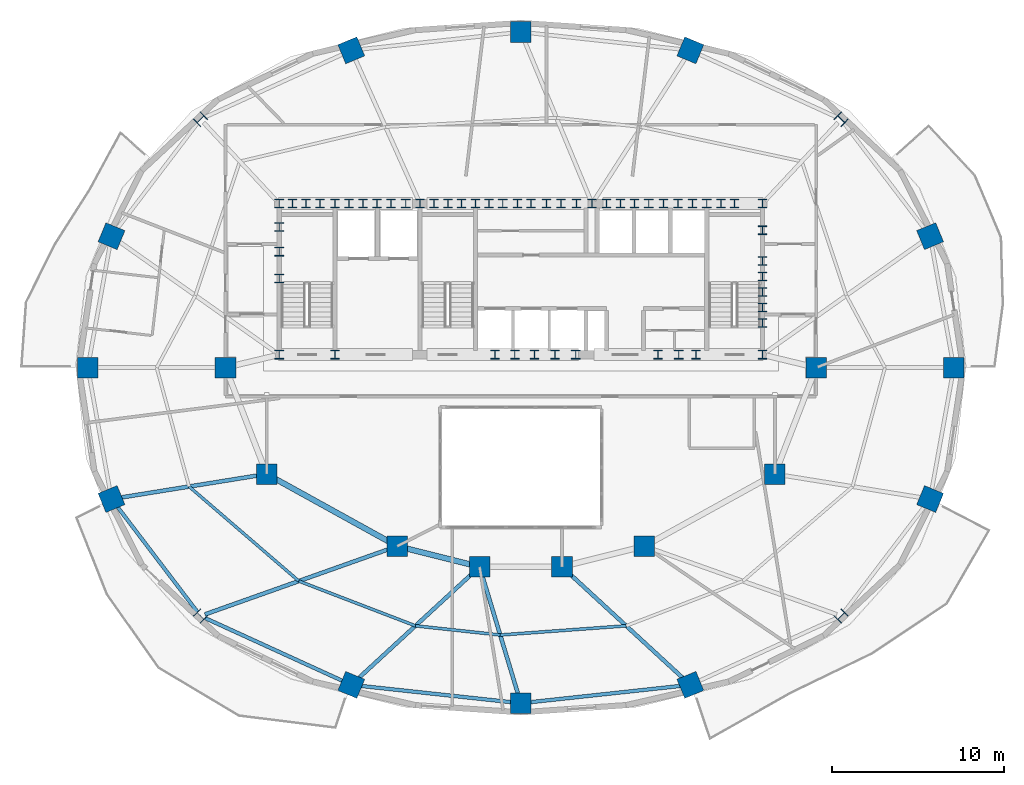
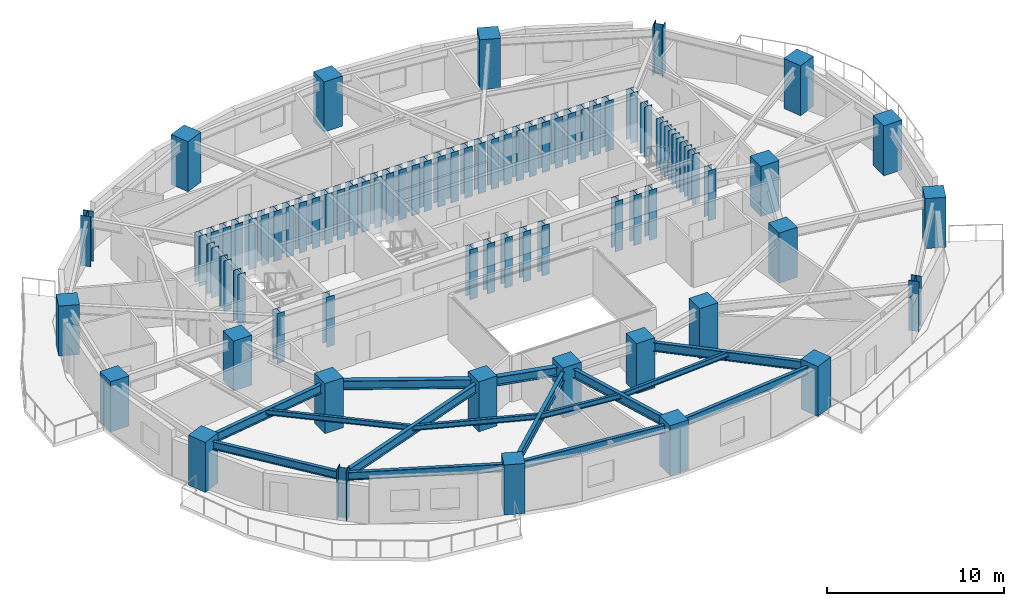
# One storey, part 1 of 12: 78 columns, 15 beams.
"""IFC4 building model written with IfcOpenShell, lengths in metres."""

from ifc_helpers import new_model, si_unit, direction, frame, origin, origin_2d, place, context, subcontext, project, spatial, rectangle, i_section, extrude, material, material_profile, profile_set, type_object, element, save


model = new_model("IFC4")

# Units and contexts
model_context = context("Model", 3, precision=1e-05, world=origin(), true_north=direction((0.0, 1.0)))
body_context = subcontext(model_context, "Body", "Model", "MODEL_VIEW")
ifc_project = project(units=[si_unit("LENGTHUNIT", "METRE"), si_unit("AREAUNIT", "SQUARE_METRE"), si_unit("VOLUMEUNIT", "CUBIC_METRE"), si_unit("PLANEANGLEUNIT", "RADIAN"), si_unit("MASSUNIT", "GRAM", prefix="KILO")], contexts=[model_context])

# Site, building, storey
site_placement = place(None, origin())
site = spatial("IfcSite", under=ifc_project, at=site_placement, CompositionType="ELEMENT")
building_placement = place(site_placement, origin())
building = spatial("IfcBuilding", under=site, at=building_placement, Name="Haldorwick Loom Tower", CompositionType="ELEMENT")
storey_placement = place(building_placement, frame((0.0, 0.0, 146.0)))
storey = spatial("IfcBuildingStorey", under=building, at=storey_placement, Name="L39", CompositionType="ELEMENT", Elevation=146.0)

# Columns
ifc_material_1 = material(Name="Concrete C60 (60 MPa)", Category="concrete")
ifc_material_profile_1 = material_profile(ifc_material_1, rectangle(XDim=1.199951171875, YDim=1.199951171875, at=origin_2d()), Name="RC1200X1200", Category="concrete")
ifc_profile_set_1 = profile_set([ifc_material_profile_1], Name="Concrete C60 (60 MPa)")
column_type_1 = type_object("IfcColumnType", Name="STR-COL-RC1200", PredefinedType="COLUMN", material=ifc_profile_set_1)
for number, where, z_axis, x_axis, name in (
    (1, (53.199951171875, 26.0, 0.0), (0.0, 0.0, 1.0), (1.0, 0.0, 0.0), "L39 Inner Column IC-01"),
    (2, (50.800048828125, 19.800048828125, 0.0), (0.0, 0.0, 1.0), (1.0, 0.0, 0.0), "L39 Inner Column IC-02"),
    (3, (43.199951171875, 15.60009765625, 0.0), (0.0, 0.0, 1.0), (1.0, 0.0, 0.0), "L39 Inner Column IC-03"),
    (4, (38.39990234375, 14.39990234375, 0.0), (0.0, 0.0, 1.0), (1.0, 0.0, 0.0), "L39 Inner Column IC-04"),
    (5, (33.60009765625, 14.39990234375, 0.0), (0.0, 0.0, 1.0), (1.0, 0.0, 0.0), "L39 Inner Column IC-05"),
    (6, (28.800048828125, 15.60009765625, 0.0), (0.0, 0.0, 1.0), (1.0, 0.0, 0.0), "L39 Inner Column IC-06"),
    (7, (21.199951171875, 19.800048828125, 0.0), (0.0, 0.0, 1.0), (1.0, 0.0, 0.0), "L39 Inner Column IC-07"),
    (8, (18.800048828125, 26.0, 0.0), (0.0, 0.0, 1.0), (1.0, 0.0, 0.0), "L39 Inner Column IC-08"),
    (9, (61.217041015625, 26.0, 0.0), (0.0, 0.0, 1.0), (1.0, 0.0, 0.0), "L39 Perimeter Pier Column P01"),
    (10, (59.836181640625, 33.65380859375, 0.0), (0.0, 0.0, 1.0), (0.923879532511, 0.382683432365, 0.0), "L39 Perimeter Pier Column P02"),
    (11, (45.873291015625, 44.4775390625, 0.0), (0.0, 0.0, 1.0), (0.382683432365, 0.923879532511, 0.0), "L39 Perimeter Pier Column P04"),
    (12, (36.0, 45.544677734375, 0.0), (0.0, 0.0, 1.0), (0.0, 1.0, 0.0), "L39 Perimeter Pier Column P05"),
    (13, (26.126708984375, 44.4775390625, 0.0), (0.0, 0.0, 1.0), (-0.382683432365, 0.923879532511, 0.0), "L39 Perimeter Pier Column P06"),
    (14, (12.163818359375, 33.65380859375, 0.0), (0.0, 0.0, 1.0), (-0.923879532511, 0.382683432365, 0.0), "L39 Perimeter Pier Column P08"),
    (15, (10.782958984375, 26.0, 0.0), (0.0, 0.0, 1.0), (-1.0, 0.0, 0.0), "L39 Perimeter Pier Column P09"),
    (16, (12.163818359375, 18.34619140625, 0.0), (0.0, 0.0, 1.0), (-0.923879532511, -0.382683432365, 0.0), "L39 Perimeter Pier Column P10"),
    (17, (26.126708984375, 7.5224609375, 0.0), (0.0, 0.0, 1.0), (-0.382683432365, -0.923879532511, 0.0), "L39 Perimeter Pier Column P12"),
    (18, (36.0, 6.455322265625, 0.0), (0.0, 0.0, 1.0), (0.0, -1.0, 0.0), "L39 Perimeter Pier Column P13"),
    (19, (45.873291015625, 7.5224609375, 0.0), (0.0, 0.0, 1.0), (0.382683432365, -0.923879532511, 0.0), "L39 Perimeter Pier Column P14"),
    (20, (59.836181640625, 18.34619140625, 0.0), (0.0, 0.0, 1.0), (0.923879532511, -0.382683432365, 0.0), "L39 Perimeter Pier Column P16"),
):
    element("IfcColumn", number, at=place(storey_placement, frame(where, z_axis=z_axis, x_axis=x_axis)), inside=storey, type_object=column_type_1, Name=name, PredefinedType="COLUMN", context=body_context, shape_type="SweptSolid", body=[
        extrude(rectangle(XDim=1.199951171875, YDim=1.199951171875, at=origin_2d()), origin(), (0.0, 0.0, 1.0), 3.449951171875),
    ])
ifc_material_2 = material(Name="Steel CSA G40.21 350WT", Category="steel")
ifc_material_profile_2 = material_profile(ifc_material_2, i_section(OverallWidth=0.5, OverallDepth=0.5, WebThickness=0.02197265625, FlangeThickness=0.031982421875, at=origin_2d()), Name="WWF500X500", Category="steel")
ifc_profile_set_2 = profile_set([ifc_material_profile_2], Name="Steel CSA G40.21 350WT")
column_type_2 = type_object("IfcColumnType", Name="STR-COL-WWF500", PredefinedType="COLUMN", material=ifc_profile_set_2)
for number, where, z_axis, x_axis, name in (
    (21, (21.929931640625, 35.550048828125, 0.0), (0.0, 0.0, 1.0), (1.0, 0.0, 0.0), "L39 Core Pilaster CB-01"),
    (22, (23.5, 35.550048828125, 0.0), (0.0, 0.0, 1.0), (1.0, 0.0, 0.0), "L39 Core Pilaster CB-02"),
    (23, (25.169921875, 35.550048828125, 0.0), (0.0, 0.0, 1.0), (1.0, 0.0, 0.0), "L39 Core Pilaster CB-03"),
    (24, (26.800048828125, 35.550048828125, 0.0), (0.0, 0.0, 1.0), (1.0, 0.0, 0.0), "L39 Core Pilaster CB-04"),
    (25, (28.449951171875, 35.550048828125, 0.0), (0.0, 0.0, 1.0), (1.0, 0.0, 0.0), "L39 Core Pilaster CB-05"),
    (26, (30.1298828125, 35.550048828125, 0.0), (0.0, 0.0, 1.0), (1.0, 0.0, 0.0), "L39 Core Pilaster CB-06"),
    (27, (31.75, 35.550048828125, 0.0), (0.0, 0.0, 1.0), (1.0, 0.0, 0.0), "L39 Core Pilaster CB-07"),
    (28, (33.3701171875, 35.550048828125, 0.0), (0.0, 0.0, 1.0), (1.0, 0.0, 0.0), "L39 Core Pilaster CB-08"),
    (29, (34.949951171875, 35.550048828125, 0.0), (0.0, 0.0, 1.0), (1.0, 0.0, 0.0), "L39 Core Pilaster CB-09"),
    (30, (36.60009765625, 35.550048828125, 0.0), (0.0, 0.0, 1.0), (1.0, 0.0, 0.0), "L39 Core Pilaster CB-10"),
    (31, (38.35009765625, 35.550048828125, 0.0), (0.0, 0.0, 1.0), (1.0, 0.0, 0.0), "L39 Core Pilaster CB-11"),
    (32, (40.14990234375, 35.550048828125, 0.0), (0.0, 0.0, 1.0), (1.0, 0.0, 0.0), "L39 Core Pilaster CB-12"),
    (33, (41.800048828125, 35.550048828125, 0.0), (0.0, 0.0, 1.0), (1.0, 0.0, 0.0), "L39 Core Pilaster CB-13"),
    (34, (43.449951171875, 35.550048828125, 0.0), (0.0, 0.0, 1.0), (1.0, 0.0, 0.0), "L39 Core Pilaster CB-14"),
    (35, (45.14990234375, 35.550048828125, 0.0), (0.0, 0.0, 1.0), (1.0, 0.0, 0.0), "L39 Core Pilaster CB-15"),
    (36, (46.830078125, 35.550048828125, 0.0), (0.0, 0.0, 1.0), (1.0, 0.0, 0.0), "L39 Core Pilaster CB-16"),
    (37, (48.449951171875, 35.550048828125, 0.0), (0.0, 0.0, 1.0), (1.0, 0.0, 0.0), "L39 Core Pilaster CB-17"),
    (38, (50.070068359375, 35.550048828125, 0.0), (0.0, 0.0, 1.0), (1.0, 0.0, 0.0), "L39 Core Pilaster CB-18"),
    (39, (21.929931640625, 26.75, 0.0), (0.0, 0.0, 1.0), (1.0, 0.0, 0.0), "L39 Core Pilaster CB-19"),
    (40, (25.169921875, 26.75, 0.0), (0.0, 0.0, 1.0), (1.0, 0.0, 0.0), "L39 Core Pilaster CB-20"),
    (41, (34.5, 26.75, 0.0), (0.0, 0.0, 1.0), (1.0, 0.0, 0.0), "L39 Core Pilaster CB-21"),
    (42, (36.800048828125, 26.75, 0.0), (0.0, 0.0, 1.0), (1.0, 0.0, 0.0), "L39 Core Pilaster CB-22"),
    (43, (39.199951171875, 26.75, 0.0), (0.0, 0.0, 1.0), (1.0, 0.0, 0.0), "L39 Core Pilaster CB-23"),
    (44, (45.199951171875, 26.75, 0.0), (0.0, 0.0, 1.0), (1.0, 0.0, 0.0), "L39 Core Pilaster CB-24"),
    (45, (50.070068359375, 26.75, 0.0), (0.0, 0.0, 1.0), (1.0, 0.0, 0.0), "L39 Core Pilaster CB-25"),
    (46, (21.929931640625, 31.199951171875, 0.0), (0.0, 0.0, 1.0), (1.0, 0.0, 0.0), "L39 Core Pilaster CB-26"),
    (47, (21.929931640625, 32.75, 0.0), (0.0, 0.0, 1.0), (1.0, 0.0, 0.0), "L39 Core Pilaster CB-27"),
    (48, (21.929931640625, 34.199951171875, 0.0), (0.0, 0.0, 1.0), (1.0, 0.0, 0.0), "L39 Core Pilaster CB-28"),
    (49, (50.070068359375, 28.60009765625, 0.0), (0.0, 0.0, 1.0), (1.0, 0.0, 0.0), "L39 Core Pilaster CB-29"),
    (50, (50.070068359375, 30.39990234375, 0.0), (0.0, 0.0, 1.0), (1.0, 0.0, 0.0), "L39 Core Pilaster CB-30"),
    (51, (50.070068359375, 32.199951171875, 0.0), (0.0, 0.0, 1.0), (1.0, 0.0, 0.0), "L39 Core Pilaster CB-31"),
    (52, (50.070068359375, 34.0, 0.0), (0.0, 0.0, 1.0), (1.0, 0.0, 0.0), "L39 Core Pilaster CB-32"),
    (53, (22.699951171875, 35.550048828125, 0.0), (0.0, 0.0, 1.0), (1.0, 0.0, 0.0), "L39 Core Pilaster CB-33"),
    (54, (27.6201171875, 35.550048828125, 0.0), (0.0, 0.0, 1.0), (1.0, 0.0, 0.0), "L39 Core Pilaster CB-34"),
    (55, (32.550048828125, 35.550048828125, 0.0), (0.0, 0.0, 1.0), (1.0, 0.0, 0.0), "L39 Core Pilaster CB-35"),
    (56, (37.5, 35.550048828125, 0.0), (0.0, 0.0, 1.0), (1.0, 0.0, 0.0), "L39 Core Pilaster CB-36"),
    (57, (42.6201171875, 35.550048828125, 0.0), (0.0, 0.0, 1.0), (1.0, 0.0, 0.0), "L39 Core Pilaster CB-37"),
    (58, (47.64990234375, 35.550048828125, 0.0), (0.0, 0.0, 1.0), (1.0, 0.0, 0.0), "L39 Core Pilaster CB-38"),
    (59, (24.300048828125, 35.550048828125, 0.0), (0.0, 0.0, 1.0), (1.0, 0.0, 0.0), "L39 Core Pilaster CB-39"),
    (60, (26.0, 35.550048828125, 0.0), (0.0, 0.0, 1.0), (1.0, 0.0, 0.0), "L39 Core Pilaster CB-40"),
    (61, (29.300048828125, 35.550048828125, 0.0), (0.0, 0.0, 1.0), (1.0, 0.0, 0.0), "L39 Core Pilaster CB-41"),
    (62, (30.949951171875, 35.550048828125, 0.0), (0.0, 0.0, 1.0), (1.0, 0.0, 0.0), "L39 Core Pilaster CB-42"),
    (63, (34.14990234375, 35.550048828125, 0.0), (0.0, 0.0, 1.0), (1.0, 0.0, 0.0), "L39 Core Pilaster CB-43"),
    (64, (35.800048828125, 35.550048828125, 0.0), (0.0, 0.0, 1.0), (1.0, 0.0, 0.0), "L39 Core Pilaster CB-44"),
    (65, (39.25, 35.550048828125, 0.0), (0.0, 0.0, 1.0), (1.0, 0.0, 0.0), "L39 Core Pilaster CB-45"),
    (66, (41.0, 35.550048828125, 0.0), (0.0, 0.0, 1.0), (1.0, 0.0, 0.0), "L39 Core Pilaster CB-46"),
    (67, (44.300048828125, 35.550048828125, 0.0), (0.0, 0.0, 1.0), (1.0, 0.0, 0.0), "L39 Core Pilaster CB-47"),
    (68, (46.0, 35.550048828125, 0.0), (0.0, 0.0, 1.0), (1.0, 0.0, 0.0), "L39 Core Pilaster CB-48"),
    (69, (50.070068359375, 29.5, 0.0), (0.0, 0.0, 1.0), (1.0, 0.0, 0.0), "L39 Core Pilaster CB-49"),
    (70, (50.070068359375, 31.300048828125, 0.0), (0.0, 0.0, 1.0), (1.0, 0.0, 0.0), "L39 Core Pilaster CB-50"),
    (71, (35.64990234375, 26.75, 0.0), (0.0, 0.0, 1.0), (1.0, 0.0, 0.0), "L39 Core Pilaster CB-51"),
    (72, (38.0, 26.75, 0.0), (0.0, 0.0, 1.0), (1.0, 0.0, 0.0), "L39 Core Pilaster CB-52"),
    (73, (44.0, 26.75, 0.0), (0.0, 0.0, 1.0), (1.0, 0.0, 0.0), "L39 Core Pilaster CB-53"),
    (74, (46.199951171875, 26.75, 0.0), (0.0, 0.0, 1.0), (1.0, 0.0, 0.0), "L39 Core Pilaster CB-54"),
):
    element("IfcColumn", number, at=place(storey_placement, frame(where, z_axis=z_axis, x_axis=x_axis)), inside=storey, type_object=column_type_2, Name=name, PredefinedType="COLUMN", context=body_context, shape_type="SweptSolid", body=[
        extrude(i_section(OverallWidth=0.5, OverallDepth=0.5, WebThickness=0.02197265625, FlangeThickness=0.031982421875, at=origin_2d()), origin(), (0.0, 0.0, 1.0), 3.449951171875),
    ])
ifc_material_profile_3 = material_profile(ifc_material_2, i_section(OverallWidth=0.60009765625, OverallDepth=0.60009765625, WebThickness=0.02490234375, FlangeThickness=0.035888671875, at=origin_2d()), Name="WWF600X600", Category="steel")
ifc_profile_set_3 = profile_set([ifc_material_profile_3], Name="Steel CSA G40.21 350WT")
column_type_3 = type_object("IfcColumnType", Name="STR-COL-WWF600", PredefinedType="COLUMN", material=ifc_profile_set_3)
for number, where, z_axis, x_axis, name in (
    (75, (54.655517578125, 40.464111328125, 0.0), (0.0, 0.0, 1.0), (0.707106781187, 0.707106781187, 0.0), "L39 Perimeter Pier Column P03"),
    (76, (17.344482421875, 40.464111328125, 0.0), (0.0, 0.0, 1.0), (-0.707106781187, 0.707106781187, 0.0), "L39 Perimeter Pier Column P07"),
    (77, (17.344482421875, 11.535888671875, 0.0), (0.0, 0.0, 1.0), (-0.707106781187, -0.707106781187, 0.0), "L39 Perimeter Pier Column P11"),
    (78, (54.655517578125, 11.535888671875, 0.0), (0.0, 0.0, 1.0), (0.707106781187, -0.707106781187, 0.0), "L39 Perimeter Pier Column P15"),
):
    element("IfcColumn", number, at=place(storey_placement, frame(where, z_axis=z_axis, x_axis=x_axis)), inside=storey, type_object=column_type_3, Name=name, PredefinedType="COLUMN", context=body_context, shape_type="SweptSolid", body=[
        extrude(i_section(OverallWidth=0.60009765625, OverallDepth=0.60009765625, WebThickness=0.02490234375, FlangeThickness=0.035888671875, at=origin_2d()), origin(), (0.0, 0.0, 1.0), 3.449951171875),
    ])

# Beams
ifc_material_3 = material(Name="Steel CSA G40.21 350W", Category="steel")
ifc_material_profile_4 = material_profile(ifc_material_3, i_section(OverallWidth=0.172119140625, OverallDepth=0.35791015625, WebThickness=0.0078125, FlangeThickness=0.01318359375, at=origin_2d()), Name="W360X57", Category="steel")
ifc_profile_set_4 = profile_set([ifc_material_profile_4], Name="Steel CSA G40.21 350W")
beam_type_1 = type_object("IfcBeamType", Name="STR-BM-J360", PredefinedType="JOIST", material=ifc_profile_set_4)
beam_1_placement = place(storey_placement, frame((16.681884765625, 19.072998046875, 2.970947265625), z_axis=(0.75763401328, -0.652679631918, 0.0), x_axis=(0.652679631918, 0.75763401328, 0.0)))
element("IfcBeam", 79, at=beam_1_placement, inside=storey, type_object=beam_type_1, Name="L39 Mid-Bay Secondary Joist 10", PredefinedType="JOIST", context=body_context, shape_type="SweptSolid", body=[
    extrude(i_section(OverallWidth=0.172119140625, OverallDepth=0.35791015625, WebThickness=0.0078125, FlangeThickness=0.01318359375, at=origin_2d()), origin(), (0.0, 0.0, 1.0), 8.4345703125),
])
beam_2_placement = place(storey_placement, frame((23.072265625, 13.56787109375, 2.970947265625), z_axis=(0.933586737031, -0.358351509609, 0.0), x_axis=(0.358351509609, 0.933586737031, 0.0)))
element("IfcBeam", 80, at=beam_2_placement, inside=storey, type_object=beam_type_1, Name="L39 Mid-Bay Secondary Joist 11", PredefinedType="JOIST", context=body_context, shape_type="SweptSolid", body=[
    extrude(i_section(OverallWidth=0.172119140625, OverallDepth=0.35791015625, WebThickness=0.0078125, FlangeThickness=0.01318359375, at=origin_2d()), origin(), (0.0, 0.0, 1.0), 7.274169921875),
])
beam_3_placement = place(storey_placement, frame((29.86328125, 10.961181640625, 2.970947265625), z_axis=(0.994212584227, -0.107430616514, 0.0), x_axis=(0.107430616514, 0.994212584227, 0.0)))
element("IfcBeam", 81, at=beam_3_placement, inside=storey, type_object=beam_type_1, Name="L39 Mid-Bay Secondary Joist 12", PredefinedType="JOIST", context=body_context, shape_type="SweptSolid", body=[
    extrude(i_section(OverallWidth=0.172119140625, OverallDepth=0.35791015625, WebThickness=0.0078125, FlangeThickness=0.01318359375, at=origin_2d()), origin(), (0.0, 0.0, 1.0), 4.965576171875),
])
beam_4_placement = place(storey_placement, frame((34.800048828125, 10.427734375, 2.970947265625), z_axis=(0.997367082818, 0.072518288109, 0.0), x_axis=(-0.072518288109, 0.997367082818, 0.0)))
element("IfcBeam", 82, at=beam_4_placement, inside=storey, type_object=beam_type_1, Name="L39 Mid-Bay Secondary Joist 13", PredefinedType="JOIST", context=body_context, shape_type="SweptSolid", body=[
    extrude(i_section(OverallWidth=0.172119140625, OverallDepth=0.35791015625, WebThickness=0.0078125, FlangeThickness=0.01318359375, at=origin_2d()), origin(), (0.0, 0.0, 1.0), 7.35595703125),
])
ifc_material_profile_5 = material_profile(ifc_material_3, i_section(OverallWidth=0.2119140625, OverallDepth=0.5439453125, WebThickness=0.01318359375, FlangeThickness=0.021240234375, at=origin_2d()), Name="W530X123", Category="steel")
ifc_profile_set_5 = profile_set([ifc_material_profile_5], Name="Steel CSA G40.21 350W")
beam_type_2 = type_object("IfcBeamType", Name="STR-BM-SP530", PredefinedType="SPANDREL", material=ifc_profile_set_5)
beam_5_placement = place(storey_placement, frame((12.478759765625, 17.932373046875, 2.8779296875), z_axis=(0.605421356486, -0.795905133236, 0.0), x_axis=(0.795905133236, 0.605421356486, 0.0)))
element("IfcBeam", 83, at=beam_5_placement, inside=storey, type_object=beam_type_2, Name="L39 Perimeter Spandrel 10", PredefinedType="SPANDREL", context=body_context, shape_type="SweptSolid", body=[
    extrude(i_section(OverallWidth=0.2119140625, OverallDepth=0.5439453125, WebThickness=0.01318359375, FlangeThickness=0.021240234375, at=origin_2d()), origin(), (0.0, 0.0, 1.0), 7.761962890625),
])
beam_6_placement = place(storey_placement, frame((17.594482421875, 11.42138671875, 2.8779296875), z_axis=(0.909534296496, -0.415628877121, 0.0), x_axis=(0.415628877121, 0.909534296496, 0.0)))
element("IfcBeam", 84, at=beam_6_placement, inside=storey, type_object=beam_type_2, Name="L39 Perimeter Spandrel 11", PredefinedType="SPANDREL", context=body_context, shape_type="SweptSolid", body=[
    extrude(i_section(OverallWidth=0.2119140625, OverallDepth=0.5439453125, WebThickness=0.01318359375, FlangeThickness=0.021240234375, at=origin_2d()), origin(), (0.0, 0.0, 1.0), 8.86083984375),
])
for number, where, z_axis, x_axis, name in (
    (85, (26.643798828125, 7.466552734375, 2.8779296875), (0.994210140187, -0.107453232386, 0.0), (0.107453232386, 0.994210140187, 0.0), "L39 Perimeter Spandrel 12"),
    (86, (36.51708984375, 6.51123046875, 2.8779296875), (0.994210140187, 0.107453232386, 0.0), (-0.107453232386, 0.994210140187, 0.0), "L39 Perimeter Spandrel 13"),
):
    element("IfcBeam", number, at=place(storey_placement, frame(where, z_axis=z_axis, x_axis=x_axis)), inside=storey, type_object=beam_type_2, Name=name, PredefinedType="SPANDREL", context=body_context, shape_type="SweptSolid", body=[
        extrude(i_section(OverallWidth=0.2119140625, OverallDepth=0.5439453125, WebThickness=0.01318359375, FlangeThickness=0.021240234375, at=origin_2d()), origin(), (0.0, 0.0, 1.0), 8.890625),
    ])
ifc_material_profile_6 = material_profile(ifc_material_3, i_section(OverallWidth=0.324951171875, OverallDepth=0.615966796875, WebThickness=0.013916015625, FlangeThickness=0.021484375, at=origin_2d()), Name="W610X174", Category="steel")
ifc_profile_set_6 = profile_set([ifc_material_profile_6], Name="Steel CSA G40.21 350W")
beam_type_3 = type_object("IfcBeamType", Name="STR-BM-W610A", PredefinedType="BEAM", material=ifc_profile_set_6)
beam_7_placement = place(storey_placement, frame((33.095458984375, 14.526123046875, 2.842041015625), z_axis=(-0.970142500145, 0.242535625036, 0.0), x_axis=(-0.242535625036, -0.970142500145, 0.0)))
element("IfcBeam", 87, at=beam_7_placement, inside=storey, type_object=beam_type_3, Name="L39 Inner Ring Girder 6", PredefinedType="BEAM", context=body_context, shape_type="SweptSolid", body=[
    extrude(i_section(OverallWidth=0.324951171875, OverallDepth=0.615966796875, WebThickness=0.013916015625, FlangeThickness=0.021484375, at=origin_2d()), origin(), (0.0, 0.0, 1.0), 3.90771484375),
])
beam_8_placement = place(storey_placement, frame((28.344970703125, 15.8515625, 2.842041015625), z_axis=(-0.875244382146, 0.483680960471, 0.0), x_axis=(-0.483680960471, -0.875244382146, 0.0)))
element("IfcBeam", 88, at=beam_8_placement, inside=storey, type_object=beam_type_3, Name="L39 Inner Ring Girder 7", PredefinedType="BEAM", context=body_context, shape_type="SweptSolid", body=[
    extrude(i_section(OverallWidth=0.324951171875, OverallDepth=0.615966796875, WebThickness=0.013916015625, FlangeThickness=0.021484375, at=origin_2d()), origin(), (0.0, 0.0, 1.0), 7.6435546875),
])
ifc_material_profile_7 = material_profile(ifc_material_3, i_section(OverallWidth=0.22998046875, OverallDepth=0.616943359375, WebThickness=0.01318359375, FlangeThickness=0.022216796875, at=origin_2d()), Name="W610X140", Category="steel")
ifc_profile_set_7 = profile_set([ifc_material_profile_7], Name="Steel CSA G40.21 350W")
beam_type_4 = type_object("IfcBeamType", Name="STR-BM-W610B", PredefinedType="BEAM", material=ifc_profile_set_7)
beam_9_placement = place(storey_placement, frame((20.6865234375, 19.71728515625, 2.841552734375), z_axis=(-0.987308639475, -0.158813256432, 0.0), x_axis=(0.158813256432, -0.987308639475, 0.0)))
element("IfcBeam", 89, at=beam_9_placement, inside=storey, type_object=beam_type_4, Name="L39 Radial Floor Girder 10", PredefinedType="BEAM", context=body_context, shape_type="SweptSolid", body=[
    extrude(i_section(OverallWidth=0.22998046875, OverallDepth=0.616943359375, WebThickness=0.01318359375, FlangeThickness=0.022216796875, at=origin_2d()), origin(), (0.0, 0.0, 1.0), 8.1123046875),
])
beam_10_placement = place(storey_placement, frame((28.309814453125, 15.426025390625, 2.841552734375), z_axis=(-0.9424463153, -0.334357507433, 0.0), x_axis=(0.334357507433, -0.9424463153, 0.0)))
element("IfcBeam", 90, at=beam_10_placement, inside=storey, type_object=beam_type_4, Name="L39 Radial Floor Girder 11", PredefinedType="BEAM", context=body_context, shape_type="SweptSolid", body=[
    extrude(i_section(OverallWidth=0.22998046875, OverallDepth=0.616943359375, WebThickness=0.01318359375, FlangeThickness=0.022216796875, at=origin_2d()), origin(), (0.0, 0.0, 1.0), 11.360107421875),
])
beam_11_placement = place(storey_placement, frame((33.21728515625, 14.0478515625, 2.841552734375), z_axis=(-0.735810902934, -0.677187060658, 0.0), x_axis=(0.677187060658, -0.735810902934, 0.0)))
element("IfcBeam", 91, at=beam_11_placement, inside=storey, type_object=beam_type_4, Name="L39 Radial Floor Girder 12", PredefinedType="BEAM", context=body_context, shape_type="SweptSolid", body=[
    extrude(i_section(OverallWidth=0.22998046875, OverallDepth=0.616943359375, WebThickness=0.01318359375, FlangeThickness=0.022216796875, at=origin_2d()), origin(), (0.0, 0.0, 1.0), 9.1162109375),
])
beam_12_placement = place(storey_placement, frame((33.75048828125, 13.902099609375, 2.841552734375), z_axis=(0.28917091681, -0.957277483738, 0.0), x_axis=(0.957277483738, 0.28917091681, 0.0)))
element("IfcBeam", 92, at=beam_12_placement, inside=storey, type_object=beam_type_4, Name="L39 Radial Floor Girder 13", PredefinedType="BEAM", context=body_context, shape_type="SweptSolid", body=[
    extrude(i_section(OverallWidth=0.22998046875, OverallDepth=0.616943359375, WebThickness=0.01318359375, FlangeThickness=0.022216796875, at=origin_2d()), origin(), (0.0, 0.0, 1.0), 7.259033203125),
])
beam_13_placement = place(storey_placement, frame((38.78271484375, 14.0478515625, 2.841552734375), z_axis=(0.735810902934, -0.677187060658, 0.0), x_axis=(0.677187060658, 0.735810902934, 0.0)))
element("IfcBeam", 93, at=beam_13_placement, inside=storey, type_object=beam_type_4, Name="L39 Radial Floor Girder 14", PredefinedType="BEAM", context=body_context, shape_type="SweptSolid", body=[
    extrude(i_section(OverallWidth=0.22998046875, OverallDepth=0.616943359375, WebThickness=0.01318359375, FlangeThickness=0.022216796875, at=origin_2d()), origin(), (0.0, 0.0, 1.0), 9.1162109375),
])

save(model, "model.ifc")
